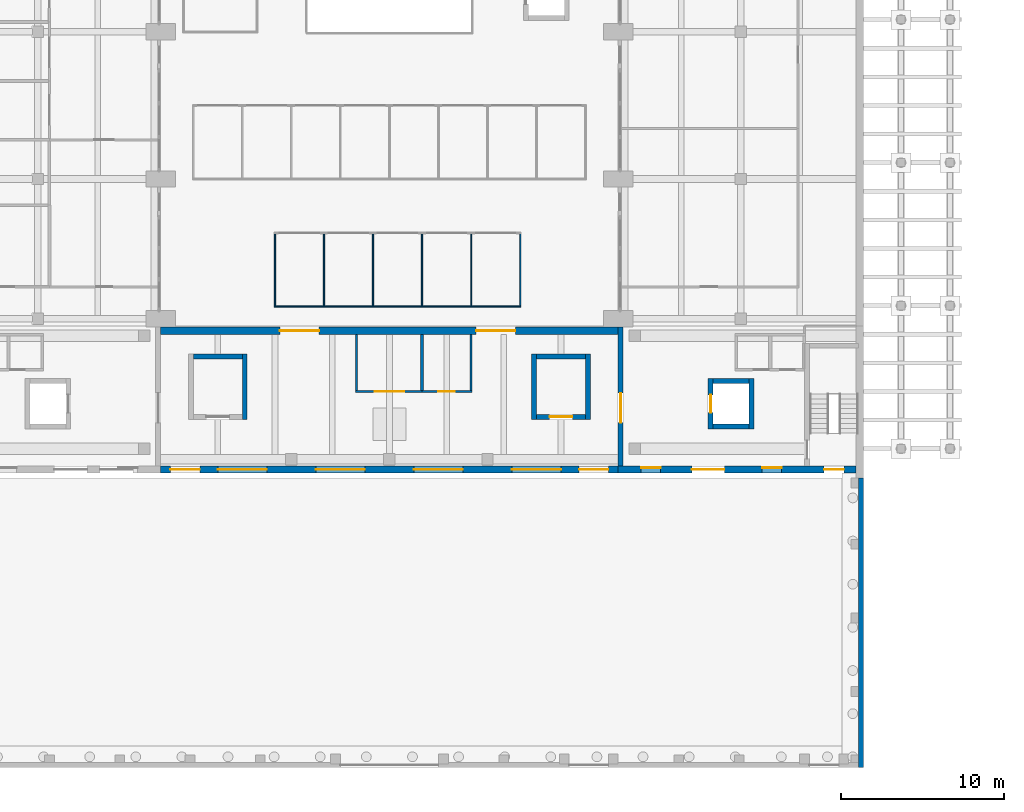
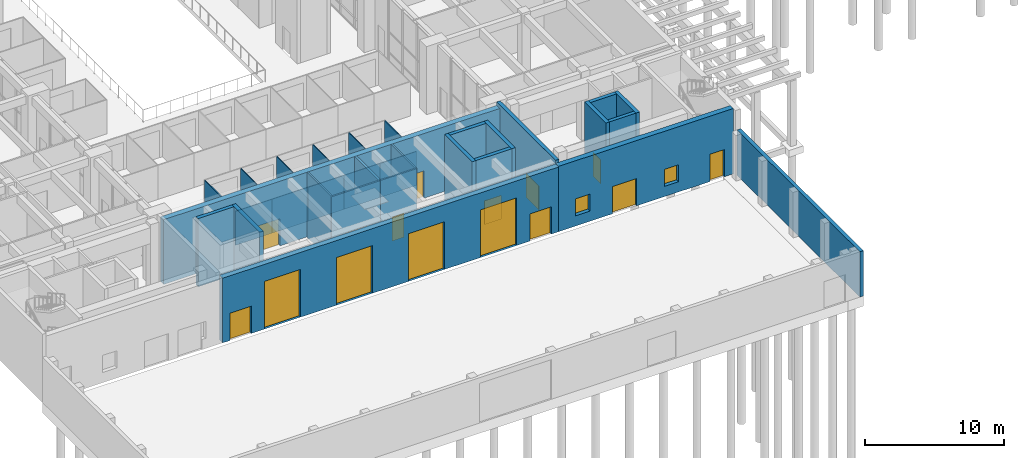
# One storey, part 29 of 51: 31 walls, 15 doors, 2 windows, 17 openings.
"""IFC4 building model written with IfcOpenShell, lengths in metres."""

import ifcopenshell
import ifcopenshell.guid

model = None  # the IFC model being written
_history = None  # IfcOwnerHistory: only IFC2X3 demands one
_inside = {}  # id of a spatial element -> (the spatial element, [elements in it])
_under = {}  # id of a project, library or spatial element -> (it, [spatial elements below it])
_declared = {}  # id of a project -> (the project, [libraries it declares])
_typed = {}  # id of a type object -> (the type object, [elements of that type])
_made_of = {}  # id of a material, layer set ... -> (it, [elements and type objects made of it])


def new_model(schema):
    """Start an empty IFC model of exactly this schema.

    Asked for "IFC4X3", IfcOpenShell would pick the latest addendum, in which some entities
    have other attributes; the version numbers below select the first issue.
    IFC2X3 requires an IfcOwnerHistory on every rooted entity: one is made here for all.
    """
    global model, _history
    if schema == "IFC4X3":
        model = ifcopenshell.file(schema_version=(4, 3, 0, 0))
    else:
        model = ifcopenshell.file(schema=schema)
    _inside.clear()
    _under.clear()
    _declared.clear()
    _typed.clear()
    _made_of.clear()
    _history = None
    if model.schema == "IFC2X3":
        org = make("IfcOrganization", Name="unknown")
        user = make(
            "IfcPersonAndOrganization",
            ThePerson=make("IfcPerson", FamilyName="unknown"),
            TheOrganization=org,
        )
        app = make(
            "IfcApplication",
            ApplicationDeveloper=org,
            Version="unknown",
            ApplicationFullName="unknown",
            ApplicationIdentifier="unknown",
        )
        _history = make(
            "IfcOwnerHistory",
            OwningUser=user,
            OwningApplication=app,
            ChangeAction="ADDED",
            CreationDate=0,
        )
    return model


def make(cls, **values):
    """One entity of the class cls with the attributes given. An attribute that is None is left unset."""
    return model.create_entity(
        cls, **{name: value for name, value in values.items() if value is not None}
    )


def rooted(cls, **values):
    """An entity with a GlobalId (a new one), such as an element, a storey or a relation."""
    return make(cls, GlobalId=ifcopenshell.guid.new(), OwnerHistory=_history, **values)


def si_unit(unit_type, name, prefix=None):
    """IfcSIUnit, for example si_unit("LENGTHUNIT", "METRE", prefix="MILLI")."""
    return make("IfcSIUnit", UnitType=unit_type, Prefix=prefix, Name=name)


def assignment(units):
    """IfcUnitAssignment: the units of a project."""
    return None if units is None else make("IfcUnitAssignment", Units=units)


def point(xyz):
    """IfcCartesianPoint."""
    return None if xyz is None else make("IfcCartesianPoint", Coordinates=xyz)


def direction(xyz):
    """IfcDirection."""
    return None if xyz is None else make("IfcDirection", DirectionRatios=xyz)


def frame(location, z_axis=None, x_axis=None):
    """IfcAxis2Placement3D, a coordinate frame: its origin and axes. An axis left out is left unset."""
    return make(
        "IfcAxis2Placement3D",
        Location=point(location),
        Axis=direction(z_axis),
        RefDirection=direction(x_axis),
    )


def frame_2d(location, x_axis=None):
    """IfcAxis2Placement2D, a coordinate frame in the plane: its origin and x axis."""
    return make(
        "IfcAxis2Placement2D", Location=point(location), RefDirection=direction(x_axis)
    )


def origin():
    """The frame at (0, 0, 0) with its axes left unset."""
    return frame((0.0, 0.0, 0.0))


def place(relative_to, where):
    """IfcLocalPlacement: puts the frame where relative to a parent placement (None: the world)."""
    return make(
        "IfcLocalPlacement", PlacementRelTo=relative_to, RelativePlacement=where
    )


def context(
    kind, dimensions, precision=None, world=None, true_north=None, identifier=None
):
    """IfcGeometricRepresentationContext, for example the 3D "Model" context."""
    return make(
        "IfcGeometricRepresentationContext",
        ContextIdentifier=identifier,
        ContextType=kind,
        CoordinateSpaceDimension=dimensions,
        Precision=precision,
        WorldCoordinateSystem=world,
        TrueNorth=true_north,
    )


def subcontext(parent, identifier, kind, view, scale=None):
    """IfcGeometricRepresentationSubContext, for example "Body" below "Model"."""
    return make(
        "IfcGeometricRepresentationSubContext",
        ContextIdentifier=identifier,
        ContextType=kind,
        ParentContext=parent,
        TargetScale=scale,
        TargetView=view,
    )


def project(units=None, contexts=None):
    """IfcProject with its units and contexts."""
    return rooted(
        "IfcProject",
        Name="project",
        RepresentationContexts=contexts,
        UnitsInContext=assignment(units),
    )


def spatial(cls, under=None, at=None, **own):
    """A site, building, storey or space (cls), placed at a placement, below another one or the project."""
    s = rooted(cls, ObjectPlacement=at, **own)
    if under is not None:
        _under.setdefault(under.id(), (under, []))[1].append(s)
    return s


def profile(cls, at=None, kind="AREA", **sizes):
    """A parametric profile (cls). Its sizes go by their IFC names, for example OverallWidth=200.0."""
    return make(cls, ProfileType=kind, Position=at, **sizes)


def rectangle(**sizes):
    """IfcRectangleProfileDef."""
    return profile("IfcRectangleProfileDef", **sizes)


def extrude(swept, where, along, depth):
    """IfcExtrudedAreaSolid: the profile swept, set in the frame where, extruded along a direction by depth."""
    return make(
        "IfcExtrudedAreaSolid",
        SweptArea=swept,
        Position=where,
        ExtrudedDirection=direction(along),
        Depth=depth,
    )


def shape(context_of_items, identifier, shape_type, items):
    """IfcShapeRepresentation: the items that make up one representation, for example the "Body"."""
    return make(
        "IfcShapeRepresentation",
        ContextOfItems=context_of_items,
        RepresentationIdentifier=identifier,
        RepresentationType=shape_type,
        Items=items,
    )


def material(Name=None, Category=None):
    """IfcMaterial."""
    return make("IfcMaterial", Name=Name, Category=Category)


def layer(
    of_material, thickness, ventilated=None, Name=None, Category=None, Priority=None
):
    """IfcMaterialLayer: one layer of a wall or slab, of a material (None: an air gap)."""
    return make(
        "IfcMaterialLayer",
        Material=of_material,
        LayerThickness=thickness,
        IsVentilated=ventilated,
        Name=Name,
        Category=Category,
        Priority=Priority,
    )


def layer_set(layers, Name=None):
    """IfcMaterialLayerSet."""
    return make("IfcMaterialLayerSet", MaterialLayers=layers, LayerSetName=Name)


def made_of(thing, what):
    """Note that an element or type object is made of a material, layer set ...; save() writes the relation."""
    if what is not None:
        _made_of.setdefault(what.id(), (what, []))[1].append(thing)
    return thing


def type_object(cls, material=None, **own):
    """A type object (cls), such as IfcWallType, which elements share."""
    return made_of(rooted(cls, **own), material)


def element(
    cls,
    number,
    at=None,
    inside=None,
    cuts=None,
    type_object=None,
    material=None,
    context=None,
    identifier="Body",
    shape_type=None,
    held_by="IfcProductDefinitionShape",
    body=None,
    shapes=None,
    **own,
):
    """One element of the class cls, such as IfcWall. Its Tag is "e" and its number.

    at: its placement. inside: the storey or other place that contains it. cuts: it is an
    opening in that element (IfcRelVoidsElement). A single representation is given by context,
    identifier, shape_type and body (its items); several are given by shapes. held_by: the class
    of the entity that holds the representations. save() writes the other relations.
    """
    e = rooted(cls, Tag="e%d" % number, ObjectPlacement=at, **own)
    if body is not None:
        shapes = [shape(context, identifier, shape_type, body)]
    if shapes is not None:
        e.Representation = make(held_by, Representations=shapes)
    if inside is not None:
        _inside.setdefault(inside.id(), (inside, []))[1].append(e)
    if cuts is not None:
        rooted(
            "IfcRelVoidsElement", RelatingBuildingElement=cuts, RelatedOpeningElement=e
        )
    if type_object is not None:
        _typed.setdefault(type_object.id(), (type_object, []))[1].append(e)
    return made_of(e, material)


def fill(opening, filler):
    """IfcRelFillsElement: the door or window that sits in an opening."""
    return rooted(
        "IfcRelFillsElement",
        RelatingOpeningElement=opening,
        RelatedBuildingElement=filler,
    )


def aggregate(whole, parts):
    """IfcRelAggregates: a whole, such as a stair, and the parts it consists of."""
    return rooted("IfcRelAggregates", RelatingObject=whole, RelatedObjects=parts)


def save(model, path):
    """Write the relations noted so far, then the file.

    IfcRelAggregates (storeys below a building ...), IfcRelContainedInSpatialStructure (elements
    in a storey), IfcRelDefinesByType, IfcRelAssociatesMaterial and IfcRelDeclares: one each for
    every whole, place, type object, material and project.
    """
    for whole, parts in _under.values():
        aggregate(whole, parts)
    for where, things in _inside.values():
        rooted(
            "IfcRelContainedInSpatialStructure",
            RelatedElements=things,
            RelatingStructure=where,
        )
    for kind, things in _typed.values():
        rooted("IfcRelDefinesByType", RelatedObjects=things, RelatingType=kind)
    for what, things in _made_of.values():
        rooted("IfcRelAssociatesMaterial", RelatedObjects=things, RelatingMaterial=what)
    for by, libraries in _declared.values():
        rooted("IfcRelDeclares", RelatingContext=by, RelatedDefinitions=libraries)
    model.write(path)


model = new_model("IFC4")

# Units and contexts
model_context = context("Model", 3, precision=1e-05, world=origin(), true_north=direction((0.0, 1.0)))
body_context = subcontext(model_context, "Body", "Model", "MODEL_VIEW")
ifc_project = project(units=[si_unit("LENGTHUNIT", "METRE"), si_unit("AREAUNIT", "SQUARE_METRE"), si_unit("VOLUMEUNIT", "CUBIC_METRE"), si_unit("PLANEANGLEUNIT", "RADIAN"), si_unit("MASSUNIT", "GRAM", prefix="KILO")], contexts=[model_context])

# Site, building, storey
site_placement = place(None, origin())
site = spatial("IfcSite", under=ifc_project, at=site_placement, CompositionType="ELEMENT")
building_placement = place(site_placement, origin())
building = spatial("IfcBuilding", under=site, at=building_placement, Name="Elmora Arch Market Hall", CompositionType="ELEMENT")
storey_placement = place(building_placement, origin())
storey = spatial("IfcBuildingStorey", under=building, at=storey_placement, Name="L00", CompositionType="ELEMENT", Elevation=0.0)

# Wall
ifc_material_1 = material(Name="Concrete C40/50", Category="concrete")
ifc_layer_1 = layer(ifc_material_1, 0.300048828125)
ifc_layer_set_1 = layer_set([ifc_layer_1], Name="Concrete C40/50")
wall_type_1 = type_object("IfcWallType", Name="Board-marked concrete wall 300", PredefinedType="SOLIDWALL", material=ifc_layer_set_1)
wall_1_placement = place(storey_placement, frame((57.85009765625, 17.699951171875, 0.0), z_axis=(0.0, 0.0, 1.0), x_axis=(0.0, -1.0, 0.0)))
element("IfcWall", 1, at=wall_1_placement, inside=storey, type_object=wall_type_1, Name="Yard boundary wall E", PredefinedType="SOLIDWALL", context=body_context, shape_type="SweptSolid", body=[
    extrude(rectangle(XDim=17.699951171875, YDim=0.300048828125, at=frame_2d((8.85009765625, 0.0))), origin(), (0.0, 0.0, 1.0), 4.0),
])

# Wall, openings, windows, doors
ifc_material_2 = material(Name="Concrete C40/50", Category="concrete")
ifc_layer_2 = layer(ifc_material_2, 0.449951171875)
ifc_layer_set_2 = layer_set([ifc_layer_2], Name="Concrete C40/50")
wall_type_2 = type_object("IfcWallType", Name="Board-marked concrete wall 450", PredefinedType="SOLIDWALL", material=ifc_layer_set_2)
wall_2_placement = place(storey_placement, frame((57.550048828125, 18.22509765625, 0.0), z_axis=(0.0, 0.0, 1.0), x_axis=(-1.0, 0.0, 0.0)))
wall_2 = element("IfcWall", 2, at=wall_2_placement, inside=storey, type_object=wall_type_2, Name="Facade wall south SE L00", PredefinedType="SOLIDWALL", context=body_context, shape_type="SweptSolid", body=[
    extrude(rectangle(XDim=14.550048828125, YDim=0.449951171875, at=frame_2d((7.27490234375, 0.0))), origin(), (0.0, 0.0, 1.0), 5.75),
])
opening_1_placement = place(wall_2_placement, frame((4.550048828125, 0.0, 0.89990234375)))
opening_1 = element("IfcOpeningElement", 3, at=opening_1_placement, cuts=wall_2, Name="Opening WC1", PredefinedType="OPENING", context=body_context, shape_type="SweptSolid", body=[
    extrude(rectangle(XDim=1.199951171875, YDim=1.5, at=frame_2d((0.60009765625, 0.75))), frame((0.0, 0.23486328125, 0.0), z_axis=(0.0, -1.0, 0.0), x_axis=(1.0, 0.0, 0.0)), (0.0, 0.0, 1.0), 0.469970703125),
])
opening_2_placement = place(wall_2_placement, frame((11.949951171875, 0.0, 0.89990234375)))
opening_2 = element("IfcOpeningElement", 4, at=opening_2_placement, cuts=wall_2, Name="Opening WC1", PredefinedType="OPENING", context=body_context, shape_type="SweptSolid", body=[
    extrude(rectangle(XDim=1.199951171875, YDim=1.5, at=frame_2d((0.60009765625, 0.75))), frame((0.0, 0.23486328125, 0.0), z_axis=(0.0, -1.0, 0.0), x_axis=(1.0, 0.0, 0.0)), (0.0, 0.0, 1.0), 0.469970703125),
])
opening_3_placement = place(wall_2_placement, frame((0.75, 0.0, 0.0)))
opening_3 = element("IfcOpeningElement", 5, at=opening_3_placement, cuts=wall_2, Name="Opening EX-ST-ES", PredefinedType="OPENING", context=body_context, shape_type="SweptSolid", body=[
    extrude(rectangle(XDim=1.199951171875, YDim=2.39990234375, at=frame_2d((0.60009765625, 1.199951171875))), frame((0.0, 0.23486328125, 0.0), z_axis=(0.0, -1.0, 0.0), x_axis=(1.0, 0.0, 0.0)), (0.0, 0.0, 1.0), 0.469970703125),
])
opening_4_placement = place(wall_2_placement, frame((8.050048828125, 0.0, 0.0)))
opening_4 = element("IfcOpeningElement", 6, at=opening_4_placement, cuts=wall_2, Name="Opening EX-LBY-E1", PredefinedType="OPENING", context=body_context, shape_type="SweptSolid", body=[
    extrude(rectangle(XDim=2.0, YDim=2.39990234375, at=frame_2d((1.0, 1.199951171875))), frame((0.0, 0.23486328125, 0.0), z_axis=(0.0, -1.0, 0.0), x_axis=(1.0, 0.0, 0.0)), (0.0, 0.0, 1.0), 0.469970703125),
])
ifc_material_3 = material(Name="Aluminium", Category="aluminium")
window_type = type_object("IfcWindowType", Name="Corner block window 1200x1500", PartitioningType="SINGLE_PANEL", PredefinedType="WINDOW", material=ifc_material_3)
window_1_placement = place(opening_1_placement, origin())
window_1 = element("IfcWindow", 7, at=window_1_placement, inside=storey, type_object=window_type, Name="Window WC1 L00 S43", OverallHeight=1.5, OverallWidth=1.199951171875, PartitioningType="SINGLE_PANEL", PredefinedType="WINDOW", context=body_context, shape_type="SweptSolid", body=[
    extrude(rectangle(XDim=1.199951171875, YDim=1.5, at=frame_2d((0.60009765625, 0.75))), frame((0.0, -0.074951171875, 0.0), z_axis=(0.0, -1.0, 0.0), x_axis=(1.0, 0.0, 0.0)), (0.0, 0.0, 1.0), 0.06005859375),
])
fill(opening_1, window_1)
window_2_placement = place(opening_2_placement, origin())
window_2 = element("IfcWindow", 8, at=window_2_placement, inside=storey, type_object=window_type, Name="Window WC1 L00 S44", OverallHeight=1.5, OverallWidth=1.199951171875, PartitioningType="SINGLE_PANEL", PredefinedType="WINDOW", context=body_context, shape_type="SweptSolid", body=[
    extrude(rectangle(XDim=1.199951171875, YDim=1.5, at=frame_2d((0.60009765625, 0.75))), frame((0.0, -0.074951171875, 0.0), z_axis=(0.0, -1.0, 0.0), x_axis=(1.0, 0.0, 0.0)), (0.0, 0.0, 1.0), 0.06005859375),
])
fill(opening_2, window_2)
ifc_material_4 = material(Name="Glazed aluminium", Category="aluminium")
door_type_1 = type_object("IfcDoorType", Name="Pavilion entrance door 2000x2400", OperationType="DOUBLE_DOOR_DOUBLE_SWING", PredefinedType="DOOR", material=ifc_material_4)
door_1_placement = place(opening_4_placement, origin())
door_1 = element("IfcDoor", 9, at=door_1_placement, inside=storey, type_object=door_type_1, Name="Yard exit door E1", OperationType="DOUBLE_DOOR_DOUBLE_SWING", OverallHeight=2.39990234375, OverallWidth=2.0, PredefinedType="DOOR", context=body_context, shape_type="SweptSolid", body=[
    extrude(rectangle(XDim=2.0, YDim=2.39990234375, at=frame_2d((1.0, 1.199951171875))), frame((0.0, 0.02490234375, 0.0), z_axis=(0.0, -1.0, 0.0), x_axis=(1.0, 0.0, 0.0)), (0.0, 0.0, 1.0), 0.050048828125),
])
fill(opening_4, door_1)
ifc_material_5 = material(Name="Steel ASTM A653 galvanised", Category="steel")
door_type_2 = type_object("IfcDoorType", Name="Stair discharge door 1200x2400", OperationType="SINGLE_SWING_LEFT", PredefinedType="DOOR", material=ifc_material_5)
door_2_placement = place(opening_3_placement, origin())
door_2 = element("IfcDoor", 10, at=door_2_placement, inside=storey, type_object=door_type_2, Name="Stair discharge ST-ES", OperationType="SINGLE_SWING_LEFT", OverallHeight=2.39990234375, OverallWidth=1.199951171875, PredefinedType="DOOR", context=body_context, shape_type="SweptSolid", body=[
    extrude(rectangle(XDim=1.199951171875, YDim=2.39990234375, at=frame_2d((0.60009765625, 1.199951171875))), frame((0.0, 0.02490234375, 0.0), z_axis=(0.0, -1.0, 0.0), x_axis=(1.0, 0.0, 0.0)), (0.0, 0.0, 1.0), 0.050048828125),
])
fill(opening_3, door_2)

# Wall, openings, doors
wall_3_placement = place(storey_placement, frame((43.0, 26.72509765625, 0.0), z_axis=(0.0, 0.0, 1.0), x_axis=(-1.0, 0.0, 0.0)))
wall_3 = element("IfcWall", 11, at=wall_3_placement, inside=storey, type_object=wall_type_2, Name="South gable wall L00", PredefinedType="SOLIDWALL", context=body_context, shape_type="SweptSolid", body=[
    extrude(rectangle(XDim=28.0, YDim=0.449951171875, at=frame_2d((14.0, 0.0))), origin(), (0.0, 0.0, 1.0), 5.699951171875),
])
opening_5_placement = place(wall_3_placement, frame((18.300048828125, 0.0, 0.0)))
opening_5 = element("IfcOpeningElement", 12, at=opening_5_placement, cuts=wall_3, Name="Opening EX-HALL-S1", PredefinedType="OPENING", context=body_context, shape_type="SweptSolid", body=[
    extrude(rectangle(XDim=2.39990234375, YDim=2.39990234375, at=frame_2d((1.199951171875, 1.199951171875))), frame((0.0, 0.23486328125, 0.0), z_axis=(0.0, -1.0, 0.0), x_axis=(1.0, 0.0, 0.0)), (0.0, 0.0, 1.0), 0.469970703125),
])
opening_6_placement = place(wall_3_placement, frame((6.300048828125, 0.0, 0.0)))
opening_6 = element("IfcOpeningElement", 13, at=opening_6_placement, cuts=wall_3, Name="Opening EX-HALL-S2", PredefinedType="OPENING", context=body_context, shape_type="SweptSolid", body=[
    extrude(rectangle(XDim=2.39990234375, YDim=2.39990234375, at=frame_2d((1.199951171875, 1.199951171875))), frame((0.0, 0.23486328125, 0.0), z_axis=(0.0, -1.0, 0.0), x_axis=(1.0, 0.0, 0.0)), (0.0, 0.0, 1.0), 0.469970703125),
])
ifc_material_6 = material(Name="Glazed aluminium", Category="aluminium")
door_type_3 = type_object("IfcDoorType", Name="Hall exit door 2400x2400", OperationType="DOUBLE_DOOR_DOUBLE_SWING", PredefinedType="DOOR", material=ifc_material_6)
door_3_placement = place(opening_5_placement, origin())
door_3 = element("IfcDoor", 14, at=door_3_placement, inside=storey, type_object=door_type_3, Name="Hall exit 1", OperationType="DOUBLE_DOOR_DOUBLE_SWING", OverallHeight=2.39990234375, OverallWidth=2.39990234375, PredefinedType="DOOR", context=body_context, shape_type="SweptSolid", body=[
    extrude(rectangle(XDim=2.39990234375, YDim=2.39990234375, at=frame_2d((1.199951171875, 1.199951171875))), frame((0.0, 0.02490234375, 0.0), z_axis=(0.0, -1.0, 0.0), x_axis=(1.0, 0.0, 0.0)), (0.0, 0.0, 1.0), 0.050048828125),
])
fill(opening_5, door_3)
door_4_placement = place(opening_6_placement, origin())
door_4 = element("IfcDoor", 15, at=door_4_placement, inside=storey, type_object=door_type_3, Name="Hall exit 2", OperationType="DOUBLE_DOOR_DOUBLE_SWING", OverallHeight=2.39990234375, OverallWidth=2.39990234375, PredefinedType="DOOR", context=body_context, shape_type="SweptSolid", body=[
    extrude(rectangle(XDim=2.39990234375, YDim=2.39990234375, at=frame_2d((1.199951171875, 1.199951171875))), frame((0.0, 0.02490234375, 0.0), z_axis=(0.0, -1.0, 0.0), x_axis=(1.0, 0.0, 0.0)), (0.0, 0.0, 1.0), 0.050048828125),
])
fill(opening_6, door_4)

wall_4_placement = place(storey_placement, frame((43.0, 18.22509765625, 0.0), z_axis=(0.0, 0.0, 1.0), x_axis=(-1.0, 0.0, 0.0)))
wall_4 = element("IfcWall", 16, at=wall_4_placement, inside=storey, type_object=wall_type_2, Name="Dock hall south wall", PredefinedType="SOLIDWALL", context=body_context, shape_type="SweptSolid", body=[
    extrude(rectangle(XDim=28.0, YDim=0.449951171875, at=frame_2d((14.0, 0.0))), origin(), (0.0, 0.0, 1.0), 5.699951171875),
])
opening_7_placement = place(wall_4_placement, frame((21.5, 0.0, 0.0)))
opening_7 = element("IfcOpeningElement", 17, at=opening_7_placement, cuts=wall_4, Name="Opening DK-V1", PredefinedType="OPENING", context=body_context, shape_type="SweptSolid", body=[
    extrude(rectangle(XDim=3.0, YDim=4.199951171875, at=frame_2d((1.5, 2.10009765625))), frame((0.0, 0.23486328125, 0.0), z_axis=(0.0, -1.0, 0.0), x_axis=(1.0, 0.0, 0.0)), (0.0, 0.0, 1.0), 0.469970703125),
])
opening_8_placement = place(wall_4_placement, frame((15.5, 0.0, 0.0)))
opening_8 = element("IfcOpeningElement", 18, at=opening_8_placement, cuts=wall_4, Name="Opening DK-V2", PredefinedType="OPENING", context=body_context, shape_type="SweptSolid", body=[
    extrude(rectangle(XDim=3.0, YDim=4.199951171875, at=frame_2d((1.5, 2.10009765625))), frame((0.0, 0.23486328125, 0.0), z_axis=(0.0, -1.0, 0.0), x_axis=(1.0, 0.0, 0.0)), (0.0, 0.0, 1.0), 0.469970703125),
])
opening_9_placement = place(wall_4_placement, frame((9.5, 0.0, 0.0)))
opening_9 = element("IfcOpeningElement", 19, at=opening_9_placement, cuts=wall_4, Name="Opening DK-V3", PredefinedType="OPENING", context=body_context, shape_type="SweptSolid", body=[
    extrude(rectangle(XDim=3.0, YDim=4.199951171875, at=frame_2d((1.5, 2.10009765625))), frame((0.0, 0.23486328125, 0.0), z_axis=(0.0, -1.0, 0.0), x_axis=(1.0, 0.0, 0.0)), (0.0, 0.0, 1.0), 0.469970703125),
])
opening_10_placement = place(wall_4_placement, frame((3.5, 0.0, 0.0)))
opening_10 = element("IfcOpeningElement", 20, at=opening_10_placement, cuts=wall_4, Name="Opening DK-V4", PredefinedType="OPENING", context=body_context, shape_type="SweptSolid", body=[
    extrude(rectangle(XDim=3.0, YDim=4.199951171875, at=frame_2d((1.5, 2.10009765625))), frame((0.0, 0.23486328125, 0.0), z_axis=(0.0, -1.0, 0.0), x_axis=(1.0, 0.0, 0.0)), (0.0, 0.0, 1.0), 0.469970703125),
])
opening_11_placement = place(wall_4_placement, frame((25.60009765625, 0.0, 0.0)))
opening_11 = element("IfcOpeningElement", 21, at=opening_11_placement, cuts=wall_4, Name="Opening EX-DOCK-P1", PredefinedType="OPENING", context=body_context, shape_type="SweptSolid", body=[
    extrude(rectangle(XDim=1.800048828125, YDim=2.39990234375, at=frame_2d((0.89990234375, 1.199951171875))), frame((0.0, 0.23486328125, 0.0), z_axis=(0.0, -1.0, 0.0), x_axis=(1.0, 0.0, 0.0)), (0.0, 0.0, 1.0), 0.469970703125),
])
opening_12_placement = place(wall_4_placement, frame((0.60009765625, 0.0, 0.0)))
opening_12 = element("IfcOpeningElement", 22, at=opening_12_placement, cuts=wall_4, Name="Opening EX-DOCK-P2", PredefinedType="OPENING", context=body_context, shape_type="SweptSolid", body=[
    extrude(rectangle(XDim=1.800048828125, YDim=2.39990234375, at=frame_2d((0.89990234375, 1.199951171875))), frame((0.0, 0.23486328125, 0.0), z_axis=(0.0, -1.0, 0.0), x_axis=(1.0, 0.0, 0.0)), (0.0, 0.0, 1.0), 0.469970703125),
])
ifc_material_7 = material(Name="Steel ASTM A653 galvanised", Category="steel")
door_type_4 = type_object("IfcDoorType", Name="Dock pedestrian door 1800x2400", OperationType="DOUBLE_DOOR_DOUBLE_SWING", PredefinedType="DOOR", material=ifc_material_7)
door_5_placement = place(opening_11_placement, origin())
door_5 = element("IfcDoor", 23, at=door_5_placement, inside=storey, type_object=door_type_4, Name="Dock exit 1", OperationType="DOUBLE_DOOR_DOUBLE_SWING", OverallHeight=2.39990234375, OverallWidth=1.800048828125, PredefinedType="DOOR", context=body_context, shape_type="SweptSolid", body=[
    extrude(rectangle(XDim=1.800048828125, YDim=2.39990234375, at=frame_2d((0.89990234375, 1.199951171875))), frame((0.0, 0.02490234375, 0.0), z_axis=(0.0, -1.0, 0.0), x_axis=(1.0, 0.0, 0.0)), (0.0, 0.0, 1.0), 0.050048828125),
])
fill(opening_11, door_5)
door_6_placement = place(opening_12_placement, origin())
door_6 = element("IfcDoor", 24, at=door_6_placement, inside=storey, type_object=door_type_4, Name="Dock exit 2", OperationType="DOUBLE_DOOR_DOUBLE_SWING", OverallHeight=2.39990234375, OverallWidth=1.800048828125, PredefinedType="DOOR", context=body_context, shape_type="SweptSolid", body=[
    extrude(rectangle(XDim=1.800048828125, YDim=2.39990234375, at=frame_2d((0.89990234375, 1.199951171875))), frame((0.0, 0.02490234375, 0.0), z_axis=(0.0, -1.0, 0.0), x_axis=(1.0, 0.0, 0.0)), (0.0, 0.0, 1.0), 0.050048828125),
])
fill(opening_12, door_6)
ifc_material_8 = material(Name="Steel ASTM A653 galvanised", Category="steel")
door_type_5 = type_object("IfcDoorType", Name="Dock roller door 3000x4200", OperationType="ROLLINGUP", PredefinedType="GATE", material=ifc_material_8)
door_7_placement = place(opening_7_placement, origin())
door_7 = element("IfcDoor", 25, at=door_7_placement, inside=storey, type_object=door_type_5, Name="Dock door 1", OperationType="ROLLINGUP", OverallHeight=4.199951171875, OverallWidth=3.0, PredefinedType="GATE", context=body_context, shape_type="SweptSolid", body=[
    extrude(rectangle(XDim=3.0, YDim=4.199951171875, at=frame_2d((1.5, 2.10009765625))), frame((0.0, 0.02490234375, 0.0), z_axis=(0.0, -1.0, 0.0), x_axis=(1.0, 0.0, 0.0)), (0.0, 0.0, 1.0), 0.050048828125),
])
fill(opening_7, door_7)
door_8_placement = place(opening_8_placement, origin())
door_8 = element("IfcDoor", 26, at=door_8_placement, inside=storey, type_object=door_type_5, Name="Dock door 2", OperationType="ROLLINGUP", OverallHeight=4.199951171875, OverallWidth=3.0, PredefinedType="GATE", context=body_context, shape_type="SweptSolid", body=[
    extrude(rectangle(XDim=3.0, YDim=4.199951171875, at=frame_2d((1.5, 2.10009765625))), frame((0.0, 0.02490234375, 0.0), z_axis=(0.0, -1.0, 0.0), x_axis=(1.0, 0.0, 0.0)), (0.0, 0.0, 1.0), 0.050048828125),
])
fill(opening_8, door_8)
door_9_placement = place(opening_9_placement, origin())
door_9 = element("IfcDoor", 27, at=door_9_placement, inside=storey, type_object=door_type_5, Name="Dock door 3", OperationType="ROLLINGUP", OverallHeight=4.199951171875, OverallWidth=3.0, PredefinedType="GATE", context=body_context, shape_type="SweptSolid", body=[
    extrude(rectangle(XDim=3.0, YDim=4.199951171875, at=frame_2d((1.5, 2.10009765625))), frame((0.0, 0.02490234375, 0.0), z_axis=(0.0, -1.0, 0.0), x_axis=(1.0, 0.0, 0.0)), (0.0, 0.0, 1.0), 0.050048828125),
])
fill(opening_9, door_9)
door_10_placement = place(opening_10_placement, origin())
door_10 = element("IfcDoor", 28, at=door_10_placement, inside=storey, type_object=door_type_5, Name="Dock door 4", OperationType="ROLLINGUP", OverallHeight=4.199951171875, OverallWidth=3.0, PredefinedType="GATE", context=body_context, shape_type="SweptSolid", body=[
    extrude(rectangle(XDim=3.0, YDim=4.199951171875, at=frame_2d((1.5, 2.10009765625))), frame((0.0, 0.02490234375, 0.0), z_axis=(0.0, -1.0, 0.0), x_axis=(1.0, 0.0, 0.0)), (0.0, 0.0, 1.0), 0.050048828125),
])
fill(opening_10, door_10)

# Wall, opening, door
ifc_material_9 = material(Name="Concrete C40/50", Category="concrete")
ifc_layer_3 = layer(ifc_material_9, 0.300048828125)
ifc_layer_set_3 = layer_set([ifc_layer_3], Name="Concrete C40/50")
wall_type_3 = type_object("IfcWallType", Name="Dock wall 300", PredefinedType="SOLIDWALL", material=ifc_layer_set_3)
wall_5_placement = place(storey_placement, frame((43.14990234375, 18.449951171875, 0.0), z_axis=(0.0, 0.0, 1.0), x_axis=(0.0, 1.0, 0.0)))
wall_5 = element("IfcWall", 29, at=wall_5_placement, inside=storey, type_object=wall_type_3, Name="Dock wall E L00", PredefinedType="SOLIDWALL", context=body_context, shape_type="SweptSolid", body=[
    extrude(rectangle(XDim=8.5, YDim=0.300048828125, at=frame_2d((4.25, 0.0))), origin(), (0.0, 0.0, 1.0), 6.0),
])
opening_13_placement = place(wall_5_placement, frame((2.64990234375, 0.0, 0.0)))
opening_13 = element("IfcOpeningElement", 30, at=opening_13_placement, cuts=wall_5, Name="Opening D-L00-002", PredefinedType="OPENING", context=body_context, shape_type="SweptSolid", body=[
    extrude(rectangle(XDim=1.800048828125, YDim=2.10009765625, at=frame_2d((0.89990234375, 1.050048828125))), frame((0.0, 0.159912109375, 0.0), z_axis=(0.0, -1.0, 0.0), x_axis=(1.0, 0.0, 0.0)), (0.0, 0.0, 1.0), 0.320068359375),
])
ifc_material_10 = material(Name="Steel ASTM A653 galvanised", Category="steel")
door_type_6 = type_object("IfcDoorType", Name="Double door 1800 x 2100", OperationType="DOUBLE_DOOR_SINGLE_SWING", PredefinedType="DOOR", material=ifc_material_10)
door_11_placement = place(opening_13_placement, origin())
door_11 = element("IfcDoor", 31, at=door_11_placement, inside=storey, type_object=door_type_6, Name="D-L00-002", OperationType="DOUBLE_DOOR_SINGLE_SWING", OverallHeight=2.10009765625, OverallWidth=1.800048828125, PredefinedType="DOOR", context=body_context, shape_type="SweptSolid", body=[
    extrude(rectangle(XDim=1.800048828125, YDim=2.10009765625, at=frame_2d((0.89990234375, 1.050048828125))), frame((0.0, 0.02490234375, 0.0), z_axis=(0.0, -1.0, 0.0), x_axis=(1.0, 0.0, 0.0)), (0.0, 0.0, 1.0), 0.050048828125),
])
fill(opening_13, door_11)

ifc_material_11 = material(Name="Concrete C40/50", Category="concrete")
ifc_layer_4 = layer(ifc_material_11, 0.300048828125)
ifc_layer_set_4 = layer_set([ifc_layer_4], Name="Concrete C40/50")
wall_type_4 = type_object("IfcWallType", Name="Lift shaft wall 300", PredefinedType="SHEAR", material=ifc_layer_set_4)
wall_6_placement = place(storey_placement, frame((48.64990234375, 20.699951171875, 0.0), z_axis=(0.0, 0.0, 1.0), x_axis=(0.0, 1.0, 0.0)))
wall_6 = element("IfcWall", 32, at=wall_6_placement, inside=storey, type_object=wall_type_4, Name="Lift shaft wall WL2 W L00", PredefinedType="SHEAR", context=body_context, shape_type="SweptSolid", body=[
    extrude(rectangle(XDim=3.10009765625, YDim=0.300048828125, at=frame_2d((1.550048828125, 0.0))), origin(), (0.0, 0.0, 1.0), 6.0),
])
opening_14_placement = place(wall_6_placement, frame((1.0, 0.0, 0.0)))
opening_14 = element("IfcOpeningElement", 33, at=opening_14_placement, cuts=wall_6, Name="Opening LD-WL2-L00", PredefinedType="OPENING", context=body_context, shape_type="SweptSolid", body=[
    extrude(rectangle(XDim=1.10009765625, YDim=2.10009765625, at=frame_2d((0.550048828125, 1.050048828125))), frame((0.0, 0.159912109375, 0.0), z_axis=(0.0, -1.0, 0.0), x_axis=(1.0, 0.0, 0.0)), (0.0, 0.0, 1.0), 0.320068359375),
])
ifc_material_12 = material(Name="Stainless steel ASTM A240 Type 304", Category="steel")
door_type_7 = type_object("IfcDoorType", Name="Lift landing door 1100 x 2100 FD90", OperationType="SLIDING_TO_LEFT", PredefinedType="DOOR", material=ifc_material_12)
door_12_placement = place(opening_14_placement, origin())
door_12 = element("IfcDoor", 34, at=door_12_placement, inside=storey, type_object=door_type_7, Name="Landing door WL2 L00", OperationType="SLIDING_TO_LEFT", OverallHeight=2.10009765625, OverallWidth=1.10009765625, PredefinedType="DOOR", context=body_context, shape_type="SweptSolid", body=[
    extrude(rectangle(XDim=1.10009765625, YDim=2.10009765625, at=frame_2d((0.550048828125, 1.050048828125))), frame((0.0, 0.02490234375, 0.0), z_axis=(0.0, -1.0, 0.0), x_axis=(1.0, 0.0, 0.0)), (0.0, 0.0, 1.0), 0.050048828125),
])
fill(opening_14, door_12)

# Walls
wall_7_placement = place(storey_placement, frame((51.14990234375, 20.699951171875, 0.0), z_axis=(0.0, 0.0, 1.0), x_axis=(0.0, 1.0, 0.0)))
element("IfcWall", 35, at=wall_7_placement, inside=storey, type_object=wall_type_4, Name="Lift shaft wall WL2 E L00", PredefinedType="SHEAR", context=body_context, shape_type="SweptSolid", body=[
    extrude(rectangle(XDim=3.10009765625, YDim=0.300048828125, at=frame_2d((1.550048828125, 0.0))), origin(), (0.0, 0.0, 1.0), 6.0),
])
for number, where, z_axis, x_axis, name in (
    (36, (48.800048828125, 20.85009765625, 0.0), (0.0, 0.0, 1.0), (1.0, 0.0, 0.0), "Lift shaft wall WL2 S L00"),
    (37, (48.800048828125, 23.64990234375, 0.0), (0.0, 0.0, 1.0), (1.0, 0.0, 0.0), "Lift shaft wall WL2 N L00"),
):
    element("IfcWall", number, at=place(storey_placement, frame(where, z_axis=z_axis, x_axis=x_axis)), inside=storey, type_object=wall_type_4, Name=name, PredefinedType="SHEAR", context=body_context, shape_type="SweptSolid", body=[
        extrude(rectangle(XDim=2.199951171875, YDim=0.300048828125, at=frame_2d((1.10009765625, 0.0))), origin(), (0.0, 0.0, 1.0), 6.0),
    ])
wall_8_placement = place(storey_placement, frame((20.14990234375, 21.300048828125, 0.0), z_axis=(0.0, 0.0, 1.0), x_axis=(0.0, 1.0, 0.0)))
element("IfcWall", 38, at=wall_8_placement, inside=storey, type_object=wall_type_4, Name="Lift shaft wall GL1 E L00", PredefinedType="SHEAR", context=body_context, shape_type="SweptSolid", body=[
    extrude(rectangle(XDim=4.0, YDim=0.300048828125, at=frame_2d((2.0, 0.0))), origin(), (0.0, 0.0, 1.0), 6.0),
])
wall_9_placement = place(storey_placement, frame((17.0, 25.14990234375, 0.0), z_axis=(0.0, 0.0, 1.0), x_axis=(1.0, 0.0, 0.0)))
element("IfcWall", 39, at=wall_9_placement, inside=storey, type_object=wall_type_4, Name="Lift shaft wall GL1 N L00", PredefinedType="SHEAR", context=body_context, shape_type="SweptSolid", body=[
    extrude(rectangle(XDim=3.0, YDim=0.300048828125, at=frame_2d((1.5, 0.0))), origin(), (0.0, 0.0, 1.0), 6.0),
])
for number, where, z_axis, x_axis, name in (
    (40, (37.85009765625, 21.300048828125, 0.0), (0.0, 0.0, 1.0), (0.0, 1.0, 0.0), "Lift shaft wall GL2 W L00"),
    (41, (41.14990234375, 21.300048828125, 0.0), (0.0, 0.0, 1.0), (0.0, 1.0, 0.0), "Lift shaft wall GL2 E L00"),
):
    element("IfcWall", number, at=place(storey_placement, frame(where, z_axis=z_axis, x_axis=x_axis)), inside=storey, type_object=wall_type_4, Name=name, PredefinedType="SHEAR", context=body_context, shape_type="SweptSolid", body=[
        extrude(rectangle(XDim=4.0, YDim=0.300048828125, at=frame_2d((2.0, 0.0))), origin(), (0.0, 0.0, 1.0), 6.0),
    ])

# Wall, opening, door
wall_10_placement = place(storey_placement, frame((38.0, 21.449951171875, 0.0), z_axis=(0.0, 0.0, 1.0), x_axis=(1.0, 0.0, 0.0)))
wall_10 = element("IfcWall", 42, at=wall_10_placement, inside=storey, type_object=wall_type_4, Name="Lift shaft wall GL2 S L00", PredefinedType="SHEAR", context=body_context, shape_type="SweptSolid", body=[
    extrude(rectangle(XDim=3.0, YDim=0.300048828125, at=frame_2d((1.5, 0.0))), origin(), (0.0, 0.0, 1.0), 6.0),
])
opening_15_placement = place(wall_10_placement, frame((0.800048828125, 0.0, 0.0)))
opening_15 = element("IfcOpeningElement", 43, at=opening_15_placement, cuts=wall_10, Name="Opening LD-GL2-L00", PredefinedType="OPENING", context=body_context, shape_type="SweptSolid", body=[
    extrude(rectangle(XDim=1.39990234375, YDim=2.10009765625, at=frame_2d((0.699951171875, 1.050048828125))), frame((0.0, 0.159912109375, 0.0), z_axis=(0.0, -1.0, 0.0), x_axis=(1.0, 0.0, 0.0)), (0.0, 0.0, 1.0), 0.320068359375),
])
ifc_material_13 = material(Name="Stainless steel ASTM A240 Type 304", Category="steel")
door_type_8 = type_object("IfcDoorType", Name="Lift landing door 1400 x 2100 FD90", OperationType="DOUBLE_DOOR_SLIDING", PredefinedType="DOOR", material=ifc_material_13)
door_13_placement = place(opening_15_placement, origin())
door_13 = element("IfcDoor", 44, at=door_13_placement, inside=storey, type_object=door_type_8, Name="Landing door GL2 L00", OperationType="DOUBLE_DOOR_SLIDING", OverallHeight=2.10009765625, OverallWidth=1.39990234375, PredefinedType="DOOR", context=body_context, shape_type="SweptSolid", body=[
    extrude(rectangle(XDim=1.39990234375, YDim=2.10009765625, at=frame_2d((0.699951171875, 1.050048828125))), frame((0.0, 0.02490234375, 0.0), z_axis=(0.0, -1.0, 0.0), x_axis=(1.0, 0.0, 0.0)), (0.0, 0.0, 1.0), 0.050048828125),
])
fill(opening_15, door_13)

# Wall
wall_11_placement = place(storey_placement, frame((38.0, 25.14990234375, 0.0), z_axis=(0.0, 0.0, 1.0), x_axis=(1.0, 0.0, 0.0)))
element("IfcWall", 45, at=wall_11_placement, inside=storey, type_object=wall_type_4, Name="Lift shaft wall GL2 N L00", PredefinedType="SHEAR", context=body_context, shape_type="SweptSolid", body=[
    extrude(rectangle(XDim=3.0, YDim=0.300048828125, at=frame_2d((1.5, 0.0))), origin(), (0.0, 0.0, 1.0), 6.0),
])

# Wall, opening, door
ifc_material_14 = material(Name="Gypsum board on metal studs")
ifc_layer_5 = layer(ifc_material_14, 0.125)
ifc_layer_set_5 = layer_set([ifc_layer_5], Name="Gypsum board on metal studs")
wall_type_5 = type_object("IfcWallType", Name="Partition 125 EI 60", PredefinedType="PARTITIONING", material=ifc_layer_set_5)
wall_12_placement = place(storey_placement, frame((26.9375, 23.0, 0.0), z_axis=(0.0, 0.0, 1.0), x_axis=(1.0, 0.0, 0.0)))
wall_12 = element("IfcWall", 46, at=wall_12_placement, inside=storey, type_object=wall_type_5, Name="Partition PT-L00-001", PredefinedType="PARTITIONING", context=body_context, shape_type="SweptSolid", body=[
    extrude(rectangle(XDim=4.0625, YDim=0.125, at=frame_2d((2.03125, 0.0))), origin(), (0.0, 0.0, 1.0), 5.699951171875),
])
opening_16_placement = place(wall_12_placement, frame((1.16259765625, 0.0, 0.0)))
opening_16 = element("IfcOpeningElement", 47, at=opening_16_placement, cuts=wall_12, Name="Opening D-L00-003", PredefinedType="OPENING", context=body_context, shape_type="SweptSolid", body=[
    extrude(rectangle(XDim=1.800048828125, YDim=2.10009765625, at=frame_2d((0.89990234375, 1.050048828125))), frame((0.0, 0.072509765625, 0.0), z_axis=(0.0, -1.0, 0.0), x_axis=(1.0, 0.0, 0.0)), (0.0, 0.0, 1.0), 0.14501953125),
])
ifc_material_15 = material(Name="Steel ASTM A653 galvanised", Category="steel")
door_type_9 = type_object("IfcDoorType", Name="Double door 1800 x 2100 FD45", OperationType="DOUBLE_DOOR_SINGLE_SWING", PredefinedType="DOOR", material=ifc_material_15)
door_14_placement = place(opening_16_placement, origin())
door_14 = element("IfcDoor", 48, at=door_14_placement, inside=storey, type_object=door_type_9, Name="D-L00-003", OperationType="DOUBLE_DOOR_SINGLE_SWING", OverallHeight=2.10009765625, OverallWidth=1.800048828125, PredefinedType="DOOR", context=body_context, shape_type="SweptSolid", body=[
    extrude(rectangle(XDim=1.800048828125, YDim=2.10009765625, at=frame_2d((0.89990234375, 1.050048828125))), frame((0.0, 0.02490234375, 0.0), z_axis=(0.0, -1.0, 0.0), x_axis=(1.0, 0.0, 0.0)), (0.0, 0.0, 1.0), 0.050048828125),
])
fill(opening_16, door_14)

wall_13_placement = place(storey_placement, frame((31.0, 23.0, 0.0), z_axis=(0.0, 0.0, 1.0), x_axis=(1.0, 0.0, 0.0)))
wall_13 = element("IfcWall", 49, at=wall_13_placement, inside=storey, type_object=wall_type_5, Name="Partition PT-L00-002", PredefinedType="PARTITIONING", context=body_context, shape_type="SweptSolid", body=[
    extrude(rectangle(XDim=3.0625, YDim=0.125, at=frame_2d((1.53125, 0.0))), origin(), (0.0, 0.0, 1.0), 5.699951171875),
])
opening_17_placement = place(wall_13_placement, frame((1.0, 0.0, 0.0)))
opening_17 = element("IfcOpeningElement", 50, at=opening_17_placement, cuts=wall_13, Name="Opening D-L00-004", PredefinedType="OPENING", context=body_context, shape_type="SweptSolid", body=[
    extrude(rectangle(XDim=1.0, YDim=2.10009765625, at=frame_2d((0.5, 1.050048828125))), frame((0.0, 0.072509765625, 0.0), z_axis=(0.0, -1.0, 0.0), x_axis=(1.0, 0.0, 0.0)), (0.0, 0.0, 1.0), 0.14501953125),
])
ifc_material_16 = material(Name="Steel ASTM A653 galvanised", Category="steel")
door_type_10 = type_object("IfcDoorType", Name="Door 1000 x 2100 FD45", OperationType="SINGLE_SWING_LEFT", PredefinedType="DOOR", material=ifc_material_16)
door_15_placement = place(opening_17_placement, origin())
door_15 = element("IfcDoor", 51, at=door_15_placement, inside=storey, type_object=door_type_10, Name="D-L00-004", OperationType="SINGLE_SWING_LEFT", OverallHeight=2.10009765625, OverallWidth=1.0, PredefinedType="DOOR", context=body_context, shape_type="SweptSolid", body=[
    extrude(rectangle(XDim=1.0, YDim=2.10009765625, at=frame_2d((0.5, 1.050048828125))), frame((0.0, 0.02490234375, 0.0), z_axis=(0.0, -1.0, 0.0), x_axis=(1.0, 0.0, 0.0)), (0.0, 0.0, 1.0), 0.050048828125),
])
fill(opening_17, door_15)

# Walls
for number, where, z_axis, x_axis, name in (
    (52, (27.0, 23.0625, 0.0), (0.0, 0.0, 1.0), (0.0, 1.0, 0.0), "Partition PT-L00-195"),
    (53, (34.0, 23.0625, 0.0), (0.0, 0.0, 1.0), (0.0, 1.0, 0.0), "Partition PT-L00-202"),
):
    element("IfcWall", number, at=place(storey_placement, frame(where, z_axis=z_axis, x_axis=x_axis)), inside=storey, type_object=wall_type_5, Name=name, PredefinedType="PARTITIONING", context=body_context, shape_type="SweptSolid", body=[
        extrude(rectangle(XDim=3.4375, YDim=0.125, at=frame_2d((1.71875, 0.0))), origin(), (0.0, 0.0, 1.0), 5.699951171875),
    ])
ifc_material_17 = material(Name="Gypsum board on metal studs")
ifc_layer_6 = layer(ifc_material_17, 0.175048828125)
ifc_layer_set_6 = layer_set([ifc_layer_6], Name="Gypsum board on metal studs")
wall_type_6 = type_object("IfcWallType", Name="Partition 175 EI 60", PredefinedType="PARTITIONING", material=ifc_layer_set_6)
wall_14_placement = place(storey_placement, frame((31.0, 23.0625, 0.0), z_axis=(0.0, 0.0, 1.0), x_axis=(0.0, 1.0, 0.0)))
element("IfcWall", 54, at=wall_14_placement, inside=storey, type_object=wall_type_6, Name="Partition PT-L00-198", PredefinedType="PARTITIONING", context=body_context, shape_type="SweptSolid", body=[
    extrude(rectangle(XDim=3.4375, YDim=0.175048828125, at=frame_2d((1.71875, 0.0))), origin(), (0.0, 0.0, 1.0), 5.699951171875),
])
ifc_material_18 = material(Name="Gypsum board on metal studs")
ifc_layer_7 = layer(ifc_material_18, 0.074951171875)
ifc_layer_set_7 = layer_set([ifc_layer_7], Name="Gypsum board on metal studs")
wall_type_7 = type_object("IfcWallType", Name="Stall partition 75 (3.0 m)", PredefinedType="PARTITIONING", material=ifc_layer_set_7)
wall_15_placement = place(storey_placement, frame((21.96240234375, 28.199951171875, 0.0), z_axis=(0.0, 0.0, 1.0), x_axis=(1.0, 0.0, 0.0)))
element("IfcWall", 55, at=wall_15_placement, inside=storey, type_object=wall_type_7, Name="Partition PT-L00-005", PredefinedType="PARTITIONING", context=body_context, shape_type="SweptSolid", body=[
    extrude(rectangle(XDim=3.03759765625, YDim=0.074951171875, at=frame_2d((1.518798828125, 0.0))), origin(), (0.0, 0.0, 1.0), 3.0),
])
for number, where, z_axis, x_axis, name in (
    (56, (25.0, 28.199951171875, 0.0), (0.0, 0.0, 1.0), (1.0, 0.0, 0.0), "Partition PT-L00-006"),
    (57, (28.0, 28.199951171875, 0.0), (0.0, 0.0, 1.0), (1.0, 0.0, 0.0), "Partition PT-L00-007"),
    (58, (31.0, 28.199951171875, 0.0), (0.0, 0.0, 1.0), (1.0, 0.0, 0.0), "Partition PT-L00-008"),
):
    element("IfcWall", number, at=place(storey_placement, frame(where, z_axis=z_axis, x_axis=x_axis)), inside=storey, type_object=wall_type_7, Name=name, PredefinedType="PARTITIONING", context=body_context, shape_type="SweptSolid", body=[
        extrude(rectangle(XDim=3.0, YDim=0.074951171875, at=frame_2d((1.5, 0.0))), origin(), (0.0, 0.0, 1.0), 3.0),
    ])
wall_16_placement = place(storey_placement, frame((34.0, 28.199951171875, 0.0), z_axis=(0.0, 0.0, 1.0), x_axis=(1.0, 0.0, 0.0)))
element("IfcWall", 59, at=wall_16_placement, inside=storey, type_object=wall_type_7, Name="Partition PT-L00-009", PredefinedType="PARTITIONING", context=body_context, shape_type="SweptSolid", body=[
    extrude(rectangle(XDim=3.03759765625, YDim=0.074951171875, at=frame_2d((1.518798828125, 0.0))), origin(), (0.0, 0.0, 1.0), 3.0),
])
for number, where, z_axis, x_axis, name in (
    (60, (22.0, 28.237548828125, 0.0), (0.0, 0.0, 1.0), (0.0, 1.0, 0.0), "Partition PT-L00-190"),
    (61, (25.0, 28.237548828125, 0.0), (0.0, 0.0, 1.0), (0.0, 1.0, 0.0), "Partition PT-L00-193"),
    (62, (28.0, 28.237548828125, 0.0), (0.0, 0.0, 1.0), (0.0, 1.0, 0.0), "Partition PT-L00-196"),
    (63, (31.0, 28.237548828125, 0.0), (0.0, 0.0, 1.0), (0.0, 1.0, 0.0), "Partition PT-L00-199"),
    (64, (34.0, 28.237548828125, 0.0), (0.0, 0.0, 1.0), (0.0, 1.0, 0.0), "Partition PT-L00-203"),
    (65, (37.0, 28.237548828125, 0.0), (0.0, 0.0, 1.0), (0.0, 1.0, 0.0), "Partition PT-L00-207"),
):
    element("IfcWall", number, at=place(storey_placement, frame(where, z_axis=z_axis, x_axis=x_axis)), inside=storey, type_object=wall_type_7, Name=name, PredefinedType="PARTITIONING", context=body_context, shape_type="SweptSolid", body=[
        extrude(rectangle(XDim=4.425048828125, YDim=0.074951171875, at=frame_2d((2.21240234375, 0.0))), origin(), (0.0, 0.0, 1.0), 3.0),
    ])

save(model, "model.ifc")
